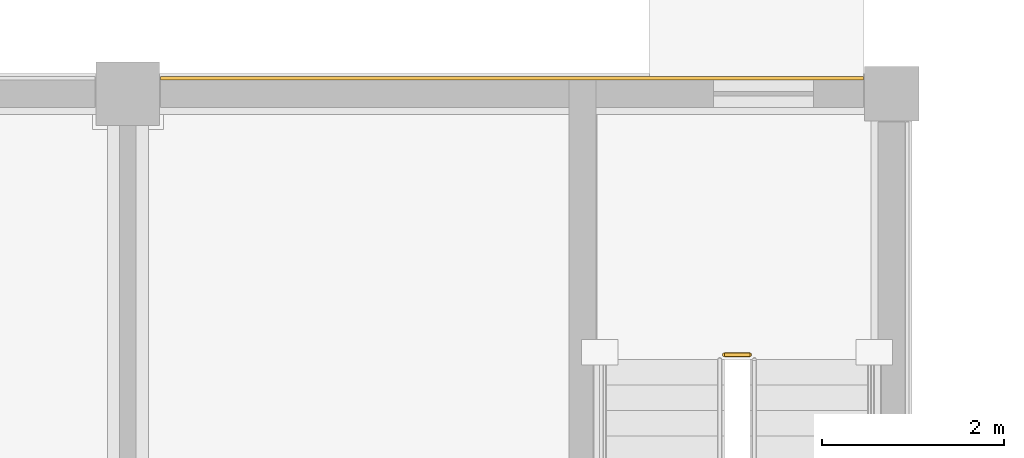
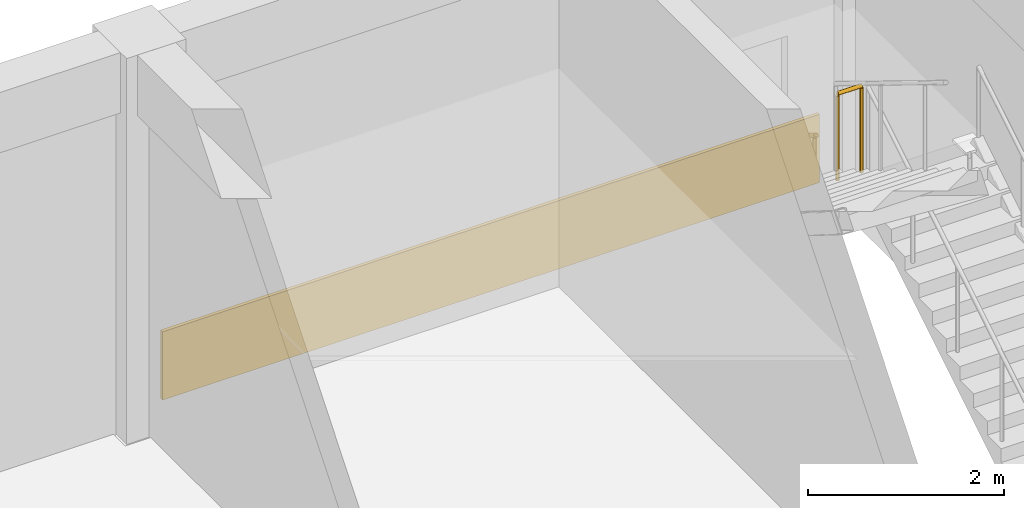
# One storey, part 50 of 58: 1 covering, 1 railing.
"""IFC4 building model written with IfcOpenShell, lengths in metres."""

from ifc_helpers import new_model, si_unit, direction, frame, origin, origin_2d, place, context, subcontext, project, spatial, polyline, circle, outline, extrude, material, layer, layer_set, type_object, element, save


model = new_model("IFC4")

# Units and contexts
model_context = context("Model", 3, precision=1e-05, world=origin(), true_north=direction((0.0, 1.0)))
body_context = subcontext(model_context, "Body", "Model", "MODEL_VIEW")
ifc_project = project(units=[si_unit("LENGTHUNIT", "METRE"), si_unit("AREAUNIT", "SQUARE_METRE"), si_unit("VOLUMEUNIT", "CUBIC_METRE"), si_unit("PLANEANGLEUNIT", "RADIAN"), si_unit("MASSUNIT", "GRAM", prefix="KILO")], contexts=[model_context])

# Site, building, storey
site_placement = place(None, origin())
site = spatial("IfcSite", under=ifc_project, at=site_placement, CompositionType="ELEMENT")
building_placement = place(site_placement, origin())
building = spatial("IfcBuilding", under=site, at=building_placement, Name="Kemercrest Conservatory and Botanical Centre", CompositionType="ELEMENT")
storey_placement = place(building_placement, origin())
storey = spatial("IfcBuildingStorey", under=building, at=storey_placement, Name="L00", CompositionType="ELEMENT", Elevation=0.0)

# Covering
ifc_material_1 = material(Name="Honed limestone almasik ashlar rainscreen", Category="masonry")
ifc_layer = layer(ifc_material_1, 0.0400390625)
ifc_layer_set = layer_set([ifc_layer], Name="Honed limestone almasik ashlar rainscreen")
covering_type = type_object("IfcCoveringType", Name="CV-CLD040", PredefinedType="CLADDING", material=ifc_layer_set)
covering_placement = place(storey_placement, origin())
element("IfcCovering", 1, at=covering_placement, inside=storey, type_object=covering_type, Name="Exterior stone spandrel cladding (WAL:L00:EXT-029)", PredefinedType="CLADDING", context=body_context, shape_type="SweptSolid", body=[
    extrude(outline(polyline([(100.090087890625, 43.35009765625), (100.090087890625, 43.389892578125), (92.360107421875, 43.389892578125), (92.360107421875, 43.35009765625), (100.090087890625, 43.35009765625)])), origin(), (0.0, 0.0, 1.0), 0.85009765625),
])

# Railing
ifc_material_2 = material(Name="Painted galvanized steel tubular stair guardrail", Category="steel")
railing_type = type_object("IfcRailingType", Name="GR-STR110", PredefinedType="GUARDRAIL", material=ifc_material_2)
railing_placement = place(storey_placement, frame((98.840087890625, 40.330078125, 2.39990234375)))
element("IfcRailing", 2, at=railing_placement, inside=storey, type_object=railing_type, Name="L00 ST-V2B stair guard 2", PredefinedType="GUARDRAIL", context=body_context, shape_type="SweptSolid", body=[
    extrude(circle(Radius=0.02392578125, at=origin_2d()), frame((0.0, 0.0, 1.076171875), z_axis=(-1.0, 0.0, 0.0), x_axis=(0.0, -1.0, 0.0)), (0.0, 0.0, 1.0), 0.280029296875),
    extrude(circle(Radius=0.02099609375, at=origin_2d()), origin(), (0.0, 0.0, 1.0), 1.052001953125),
    extrude(circle(Radius=0.02099609375, at=origin_2d()), frame((-0.280029296875, 0.0, 0.0)), (0.0, 0.0, 1.0), 1.052001953125),
])

save(model, "model.ifc")
